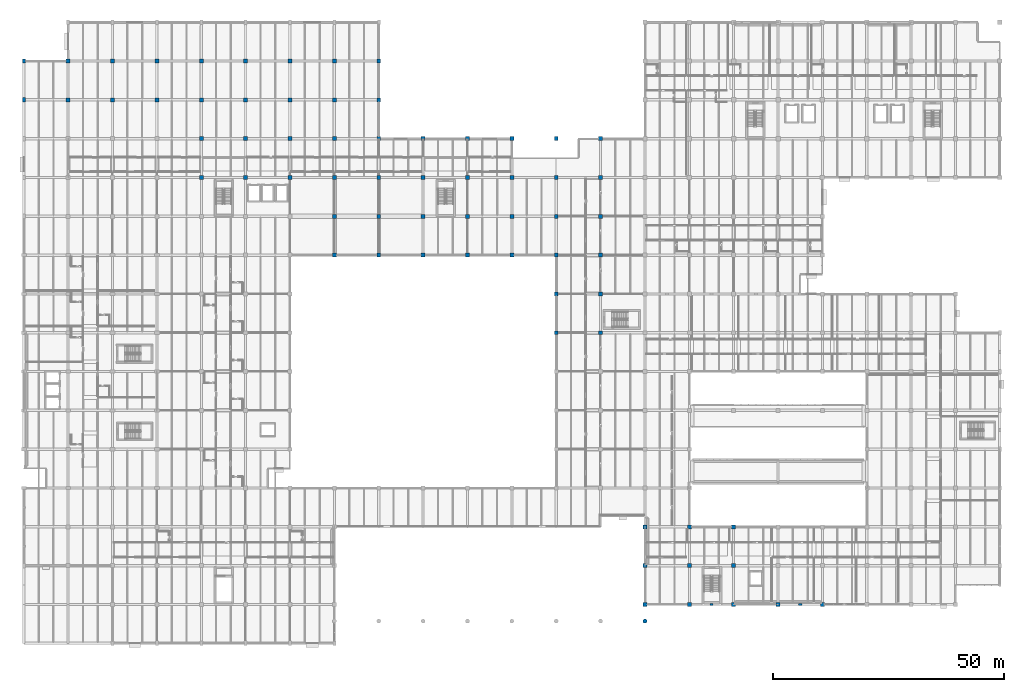
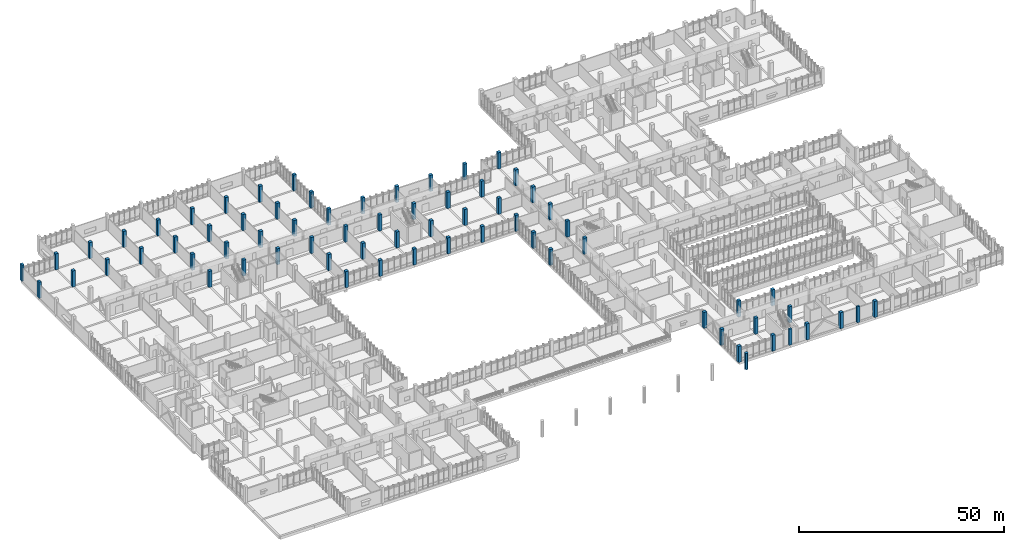
# One storey, part 2 of 152: 70 columns.
"""IFC4 building model written with IfcOpenShell, lengths in metres."""

from ifc_helpers import new_model, si_unit, direction, frame, origin, origin_2d, place, context, subcontext, project, spatial, rectangle, circle, extrude, material, material_profile, profile_set, type_object, element, save


model = new_model("IFC4")

# Units and contexts
model_context = context("Model", 3, precision=1e-05, world=origin(), true_north=direction((0.0, 1.0)))
body_context = subcontext(model_context, "Body", "Model", "MODEL_VIEW")
ifc_project = project(units=[si_unit("LENGTHUNIT", "METRE"), si_unit("AREAUNIT", "SQUARE_METRE"), si_unit("VOLUMEUNIT", "CUBIC_METRE"), si_unit("PLANEANGLEUNIT", "RADIAN"), si_unit("MASSUNIT", "GRAM", prefix="KILO")], contexts=[model_context])

# Site, building, storey
site_placement = place(None, origin())
site = spatial("IfcSite", under=ifc_project, at=site_placement, CompositionType="ELEMENT")
building_placement = place(site_placement, origin())
building = spatial("IfcBuilding", under=site, at=building_placement, Name="Oolite Switchyard Hospital", CompositionType="ELEMENT")
storey_placement = place(building_placement, frame((0.0, 0.0, 5.10009765625)))
storey = spatial("IfcBuildingStorey", under=building, at=storey_placement, Name="L01", CompositionType="ELEMENT", Elevation=5.10009765625)

# Columns
ifc_material_1 = material(Name="Precast concrete C40/50", Category="concrete")
ifc_material_profile_1 = material_profile(ifc_material_1, circle(Radius=0.449951171875, at=origin_2d()), Name="RCCOL900")
ifc_profile_set_1 = profile_set([ifc_material_profile_1], Name="Precast concrete C40/50")
column_type_1 = type_object("IfcColumnType", Name="COL-PORT900", PredefinedType="COLUMN", material=ifc_profile_set_1)
column_placement = place(storey_placement, frame((134.39990234375, 4.800048828125, 0.0), z_axis=(0.0, 0.0, 1.0), x_axis=(1.0, 0.0, 0.0)))
element("IfcColumn", 1, at=column_placement, inside=storey, type_object=column_type_1, Name="L01 Column 506", PredefinedType="COLUMN", context=body_context, shape_type="SweptSolid", body=[
    extrude(circle(Radius=0.449951171875, at=origin_2d()), origin(), (0.0, 0.0, 1.0), 4.7998046875),
])
ifc_material_2 = material(Name="Concrete C50/60", Category="concrete")
ifc_material_profile_2 = material_profile(ifc_material_2, rectangle(XDim=0.85009765625, YDim=0.85009765625, at=origin_2d()), Name="RC850X850")
ifc_profile_set_2 = profile_set([ifc_material_profile_2], Name="Concrete C50/60")
column_type_2 = type_object("IfcColumnType", Name="COL-RC850", PredefinedType="COLUMN", material=ifc_profile_set_2)
for number, where, z_axis, x_axis, name in (
    (2, (9.60009765625, 117.60009765625, 0.0), (0.0, 0.0, 1.0), (1.0, 0.0, 0.0), "L01 Column 356"),
    (3, (9.60009765625, 126.0, 0.0), (0.0, 0.0, 1.0), (1.0, 0.0, 0.0), "L01 Column 357"),
    (4, (19.199951171875, 117.60009765625, 0.0), (0.0, 0.0, 1.0), (1.0, 0.0, 0.0), "L01 Column 373"),
    (5, (19.199951171875, 126.0, 0.0), (0.0, 0.0, 1.0), (1.0, 0.0, 0.0), "L01 Column 374"),
    (6, (28.800048828125, 117.60009765625, 0.0), (0.0, 0.0, 1.0), (1.0, 0.0, 0.0), "L01 Column 390"),
    (7, (28.800048828125, 126.0, 0.0), (0.0, 0.0, 1.0), (1.0, 0.0, 0.0), "L01 Column 391"),
    (8, (38.39990234375, 100.800048828125, 0.0), (0.0, 0.0, 1.0), (1.0, 0.0, 0.0), "L01 Column 405"),
    (9, (38.39990234375, 109.199951171875, 0.0), (0.0, 0.0, 1.0), (1.0, 0.0, 0.0), "L01 Column 406"),
    (10, (38.39990234375, 117.60009765625, 0.0), (0.0, 0.0, 1.0), (1.0, 0.0, 0.0), "L01 Column 407"),
    (11, (38.39990234375, 126.0, 0.0), (0.0, 0.0, 1.0), (1.0, 0.0, 0.0), "L01 Column 408"),
    (12, (48.0, 100.800048828125, 0.0), (0.0, 0.0, 1.0), (1.0, 0.0, 0.0), "L01 Column 422"),
    (13, (48.0, 109.199951171875, 0.0), (0.0, 0.0, 1.0), (1.0, 0.0, 0.0), "L01 Column 423"),
    (14, (48.0, 117.60009765625, 0.0), (0.0, 0.0, 1.0), (1.0, 0.0, 0.0), "L01 Column 424"),
    (15, (48.0, 126.0, 0.0), (0.0, 0.0, 1.0), (1.0, 0.0, 0.0), "L01 Column 425"),
    (16, (57.60009765625, 100.800048828125, 0.0), (0.0, 0.0, 1.0), (1.0, 0.0, 0.0), "L01 Column 439"),
    (17, (57.60009765625, 109.199951171875, 0.0), (0.0, 0.0, 1.0), (1.0, 0.0, 0.0), "L01 Column 440"),
    (18, (57.60009765625, 117.60009765625, 0.0), (0.0, 0.0, 1.0), (1.0, 0.0, 0.0), "L01 Column 441"),
    (19, (57.60009765625, 126.0, 0.0), (0.0, 0.0, 1.0), (1.0, 0.0, 0.0), "L01 Column 442"),
    (20, (67.199951171875, 84.0, 0.0), (0.0, 0.0, 1.0), (1.0, 0.0, 0.0), "L01 Column 450"),
    (21, (67.199951171875, 92.39990234375, 0.0), (0.0, 0.0, 1.0), (1.0, 0.0, 0.0), "L01 Column 451"),
    (22, (67.199951171875, 100.800048828125, 0.0), (0.0, 0.0, 1.0), (1.0, 0.0, 0.0), "L01 Column 452"),
    (23, (67.199951171875, 109.199951171875, 0.0), (0.0, 0.0, 1.0), (1.0, 0.0, 0.0), "L01 Column 453"),
    (24, (67.199951171875, 117.60009765625, 0.0), (0.0, 0.0, 1.0), (1.0, 0.0, 0.0), "L01 Column 454"),
    (25, (67.199951171875, 126.0, 0.0), (0.0, 0.0, 1.0), (1.0, 0.0, 0.0), "L01 Column 455"),
    (26, (76.800048828125, 84.0, 0.0), (0.0, 0.0, 1.0), (1.0, 0.0, 0.0), "L01 Column 459"),
    (27, (76.800048828125, 92.39990234375, 0.0), (0.0, 0.0, 1.0), (1.0, 0.0, 0.0), "L01 Column 460"),
    (28, (76.800048828125, 100.800048828125, 0.0), (0.0, 0.0, 1.0), (1.0, 0.0, 0.0), "L01 Column 461"),
    (29, (76.800048828125, 109.199951171875, 0.0), (0.0, 0.0, 1.0), (1.0, 0.0, 0.0), "L01 Column 462"),
    (30, (76.800048828125, 117.60009765625, 0.0), (0.0, 0.0, 1.0), (1.0, 0.0, 0.0), "L01 Column 463"),
    (31, (76.800048828125, 126.0, 0.0), (0.0, 0.0, 1.0), (1.0, 0.0, 0.0), "L01 Column 464"),
    (32, (86.39990234375, 84.0, 0.0), (0.0, 0.0, 1.0), (1.0, 0.0, 0.0), "L01 Column 468"),
    (33, (86.39990234375, 92.39990234375, 0.0), (0.0, 0.0, 1.0), (1.0, 0.0, 0.0), "L01 Column 469"),
    (34, (86.39990234375, 100.800048828125, 0.0), (0.0, 0.0, 1.0), (1.0, 0.0, 0.0), "L01 Column 470"),
    (35, (86.39990234375, 109.199951171875, 0.0), (0.0, 0.0, 1.0), (1.0, 0.0, 0.0), "L01 Column 471"),
    (36, (96.0, 84.0, 0.0), (0.0, 0.0, 1.0), (1.0, 0.0, 0.0), "L01 Column 474"),
    (37, (96.0, 92.39990234375, 0.0), (0.0, 0.0, 1.0), (1.0, 0.0, 0.0), "L01 Column 475"),
    (38, (96.0, 100.800048828125, 0.0), (0.0, 0.0, 1.0), (1.0, 0.0, 0.0), "L01 Column 476"),
    (39, (96.0, 109.199951171875, 0.0), (0.0, 0.0, 1.0), (1.0, 0.0, 0.0), "L01 Column 477"),
    (40, (105.60009765625, 84.0, 0.0), (0.0, 0.0, 1.0), (1.0, 0.0, 0.0), "L01 Column 480"),
    (41, (105.60009765625, 92.39990234375, 0.0), (0.0, 0.0, 1.0), (1.0, 0.0, 0.0), "L01 Column 481"),
    (42, (105.60009765625, 100.800048828125, 0.0), (0.0, 0.0, 1.0), (1.0, 0.0, 0.0), "L01 Column 482"),
    (43, (105.60009765625, 109.199951171875, 0.0), (0.0, 0.0, 1.0), (1.0, 0.0, 0.0), "L01 Column 483"),
    (44, (115.199951171875, 67.199951171875, 0.0), (0.0, 0.0, 1.0), (1.0, 0.0, 0.0), "L01 Column 489"),
    (45, (115.199951171875, 75.60009765625, 0.0), (0.0, 0.0, 1.0), (1.0, 0.0, 0.0), "L01 Column 490"),
    (46, (115.199951171875, 84.0, 0.0), (0.0, 0.0, 1.0), (1.0, 0.0, 0.0), "L01 Column 491"),
    (47, (115.199951171875, 92.39990234375, 0.0), (0.0, 0.0, 1.0), (1.0, 0.0, 0.0), "L01 Column 492"),
    (48, (115.199951171875, 100.800048828125, 0.0), (0.0, 0.0, 1.0), (1.0, 0.0, 0.0), "L01 Column 493"),
    (49, (115.199951171875, 109.199951171875, 0.0), (0.0, 0.0, 1.0), (1.0, 0.0, 0.0), "L01 Column 494"),
    (50, (124.800048828125, 67.199951171875, 0.0), (0.0, 0.0, 1.0), (1.0, 0.0, 0.0), "L01 Column 500"),
    (51, (124.800048828125, 75.60009765625, 0.0), (0.0, 0.0, 1.0), (1.0, 0.0, 0.0), "L01 Column 501"),
    (52, (124.800048828125, 84.0, 0.0), (0.0, 0.0, 1.0), (1.0, 0.0, 0.0), "L01 Column 502"),
    (53, (124.800048828125, 92.39990234375, 0.0), (0.0, 0.0, 1.0), (1.0, 0.0, 0.0), "L01 Column 503"),
    (54, (124.800048828125, 100.800048828125, 0.0), (0.0, 0.0, 1.0), (1.0, 0.0, 0.0), "L01 Column 504"),
    (55, (124.800048828125, 109.199951171875, 0.0), (0.0, 0.0, 1.0), (1.0, 0.0, 0.0), "L01 Column 505"),
    (56, (134.39990234375, 8.39990234375, 0.0), (0.0, 0.0, 1.0), (1.0, 0.0, 0.0), "L01 Column 507"),
    (57, (134.39990234375, 16.800048828125, 0.0), (0.0, 0.0, 1.0), (1.0, 0.0, 0.0), "L01 Column 508"),
    (58, (134.39990234375, 25.199951171875, 0.0), (0.0, 0.0, 1.0), (1.0, 0.0, 0.0), "L01 Column 509"),
    (59, (144.0, 8.39990234375, 0.0), (0.0, 0.0, 1.0), (1.0, 0.0, 0.0), "L01 Column 523"),
    (60, (144.0, 16.800048828125, 0.0), (0.0, 0.0, 1.0), (1.0, 0.0, 0.0), "L01 Column 524"),
    (61, (144.0, 25.199951171875, 0.0), (0.0, 0.0, 1.0), (1.0, 0.0, 0.0), "L01 Column 525"),
    (62, (153.60009765625, 8.39990234375, 0.0), (0.0, 0.0, 1.0), (1.0, 0.0, 0.0), "L01 Column 543"),
    (63, (153.60009765625, 16.800048828125, 0.0), (0.0, 0.0, 1.0), (1.0, 0.0, 0.0), "L01 Column 544"),
    (64, (153.60009765625, 25.199951171875, 0.0), (0.0, 0.0, 1.0), (1.0, 0.0, 0.0), "L01 Column 545"),
    (65, (163.199951171875, 8.39990234375, 0.0), (0.0, 0.0, 1.0), (1.0, 0.0, 0.0), "L01 Column 557"),
    (66, (172.800048828125, 8.39990234375, 0.0), (0.0, 0.0, 1.0), (1.0, 0.0, 0.0), "L01 Column 573"),
):
    element("IfcColumn", number, at=place(storey_placement, frame(where, z_axis=z_axis, x_axis=x_axis)), inside=storey, type_object=column_type_2, Name=name, PredefinedType="COLUMN", context=body_context, shape_type="SweptSolid", body=[
        extrude(rectangle(XDim=0.85009765625, YDim=0.85009765625, at=origin_2d()), origin(), (0.0, 0.0, 1.0), 4.7998046875),
    ])
ifc_material_profile_3 = material_profile(ifc_material_2, rectangle(XDim=0.949951171875, YDim=0.64990234375, at=origin_2d()), Name="RC950X650")
ifc_profile_set_3 = profile_set([ifc_material_profile_3], Name="Concrete C50/60")
column_type_3 = type_object("IfcColumnType", Name="COL-RCR950", PredefinedType="COLUMN", material=ifc_profile_set_3)
for number, where, z_axis, x_axis, name in (
    (67, (0.0, 117.60009765625, 0.0), (0.0, 0.0, 1.0), (0.0, 1.0, 0.0), "L01 Column 342"),
    (68, (0.0, 126.0, 0.0), (0.0, 0.0, 1.0), (0.0, 1.0, 0.0), "L01 Column 343"),
):
    element("IfcColumn", number, at=place(storey_placement, frame(where, z_axis=z_axis, x_axis=x_axis)), inside=storey, type_object=column_type_3, Name=name, PredefinedType="COLUMN", context=body_context, shape_type="SweptSolid", body=[
        extrude(rectangle(XDim=0.949951171875, YDim=0.64990234375, at=origin_2d()), origin(), (0.0, 0.0, 1.0), 4.7998046875),
    ])
ifc_material_profile_4 = material_profile(ifc_material_1, rectangle(XDim=0.75, YDim=0.5, at=origin_2d()), Name="PIL750X500")
ifc_profile_set_4 = profile_set([ifc_material_profile_4], Name="Precast concrete C40/50")
column_type_4 = type_object("IfcColumnType", Name="PIL-750X500", PredefinedType="PILASTER", material=ifc_profile_set_4)
for number, where, z_axis, x_axis, name in (
    (69, (148.800048828125, 8.39990234375, 0.0), (0.0, 0.0, 1.0), (1.0, 0.0, 0.0), "L01 Classical Pilaster 18"),
    (70, (168.0, 8.39990234375, 0.0), (0.0, 0.0, 1.0), (1.0, 0.0, 0.0), "L01 Classical Pilaster 19"),
):
    element("IfcColumn", number, at=place(storey_placement, frame(where, z_axis=z_axis, x_axis=x_axis)), inside=storey, type_object=column_type_4, Name=name, PredefinedType="PILASTER", context=body_context, shape_type="SweptSolid", body=[
        extrude(rectangle(XDim=0.75, YDim=0.5, at=origin_2d()), origin(), (0.0, 0.0, 1.0), 4.7998046875),
    ])

save(model, "model.ifc")
